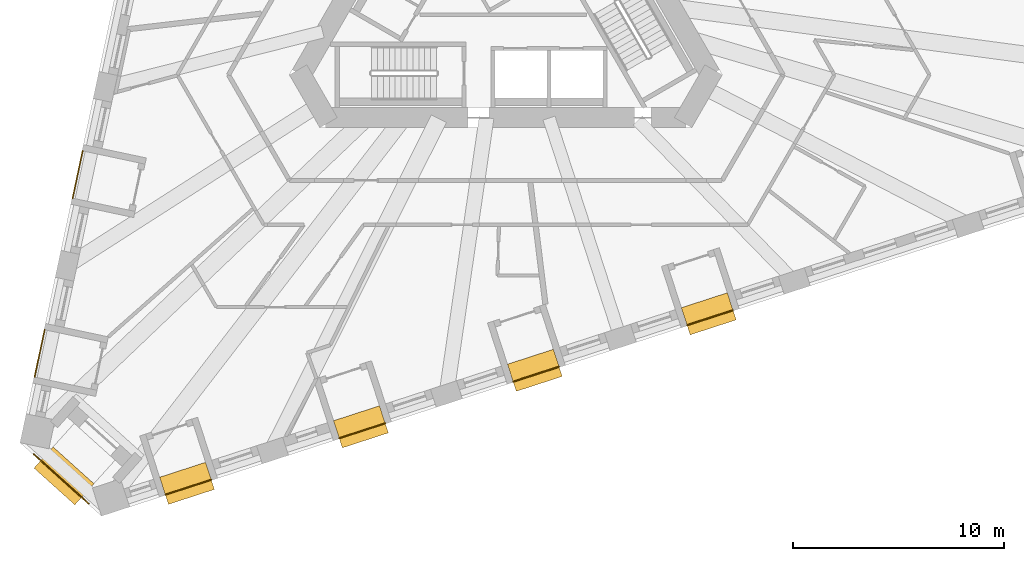
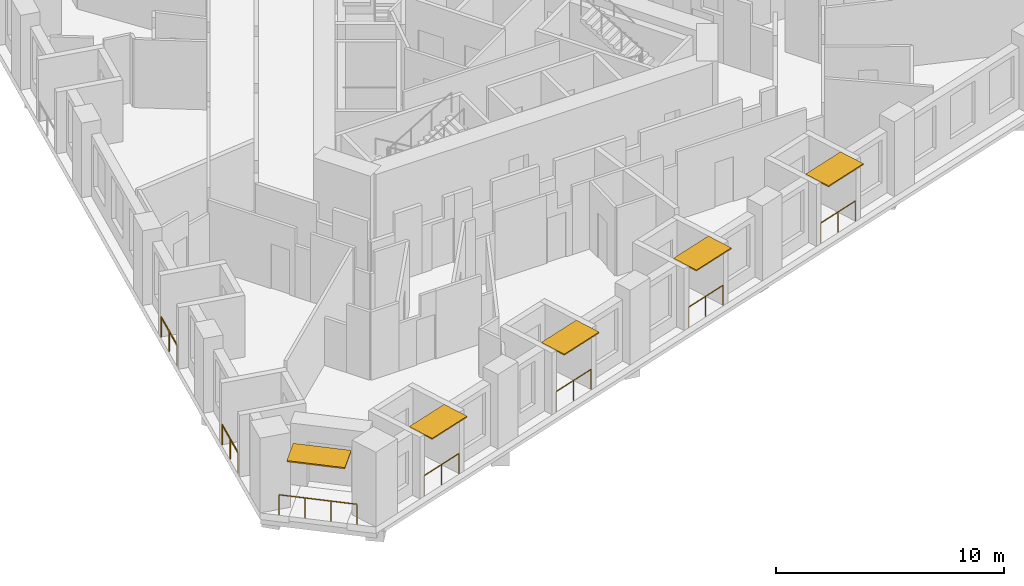
# One storey, part 11 of 13: 7 railings, 5 shading devices.
"""IFC4 building model written with IfcOpenShell, lengths in metres."""

from ifc_helpers import new_model, si_unit, direction, frame, origin, origin_2d, place, context, subcontext, project, spatial, rectangle, circle, extrude, material, layer, layer_set, type_object, element, save


model = new_model("IFC4")

# Units and contexts
model_context = context("Model", 3, precision=1e-05, world=origin(), true_north=direction((0.0, 1.0)))
body_context = subcontext(model_context, "Body", "Model", "MODEL_VIEW")
ifc_project = project(units=[si_unit("LENGTHUNIT", "METRE"), si_unit("AREAUNIT", "SQUARE_METRE"), si_unit("VOLUMEUNIT", "CUBIC_METRE"), si_unit("PLANEANGLEUNIT", "RADIAN"), si_unit("MASSUNIT", "GRAM", prefix="KILO")], contexts=[model_context])

# Site, building, storey
site_placement = place(None, origin())
site = spatial("IfcSite", under=ifc_project, at=site_placement, CompositionType="ELEMENT")
building_placement = place(site_placement, origin())
building = spatial("IfcBuilding", under=site, at=building_placement, Name="Tramontana Tower", CompositionType="ELEMENT")
storey_placement = place(building_placement, frame((0.0, 0.0, 100.39990234375)))
storey = spatial("IfcBuildingStorey", under=building, at=storey_placement, Name="L22", CompositionType="ELEMENT", Elevation=100.39990234375)

# Railings
ifc_material_1 = material(Name="Laminated glass balustrade", Category="glass")
railing_type = type_object("IfcRailingType", Name="GD1 Loggia glass balustrade 1100", PredefinedType="BALUSTRADE", material=ifc_material_1)
railing_1_placement = place(storey_placement, frame((-20.04052734375, -7.85205078125, 0.0)))
element("IfcRailing", 1, at=railing_1_placement, inside=storey, type_object=railing_type, Name="Loggia balustrade L22 G2S0.13", PredefinedType="BALUSTRADE", context=body_context, shape_type="SweptSolid", body=[
    extrude(circle(Radius=0.02392578125, at=origin_2d()), frame((0.0, 0.0, 1.076171875), z_axis=(-0.207888126836, -0.978152609116, 0.0), x_axis=(0.978152609116, -0.207888126836, 0.0)), (0.0, 0.0, 1.0), 2.28662109375),
    extrude(circle(Radius=0.02099609375, at=origin_2d()), origin(), (0.0, 0.0, 1.0), 1.052001953125),
    extrude(circle(Radius=0.02099609375, at=origin_2d()), frame((-0.23779296875, -1.1181640625, 0.0)), (0.0, 0.0, 1.0), 1.052001953125),
    extrude(circle(Radius=0.02099609375, at=origin_2d()), frame((-0.475341796875, -2.236572265625, 0.0)), (0.0, 0.0, 1.0), 1.052001953125),
])
railing_2_placement = place(storey_placement, frame((-21.841064453125, -16.322998046875, 0.0)))
element("IfcRailing", 2, at=railing_2_placement, inside=storey, type_object=railing_type, Name="Loggia balustrade L22 G2S0.16", PredefinedType="BALUSTRADE", context=body_context, shape_type="SweptSolid", body=[
    extrude(circle(Radius=0.02392578125, at=origin_2d()), frame((0.0, 0.0, 1.076171875), z_axis=(-0.207866417042, -0.978157222877, 0.0), x_axis=(0.978157222877, -0.207866417042, 0.0)), (0.0, 0.0, 1.0), 2.286865234375),
    extrude(circle(Radius=0.02099609375, at=origin_2d()), origin(), (0.0, 0.0, 1.0), 1.052001953125),
    extrude(circle(Radius=0.02099609375, at=origin_2d()), frame((-0.23779296875, -1.118408203125, 0.0)), (0.0, 0.0, 1.0), 1.052001953125),
    extrude(circle(Radius=0.02099609375, at=origin_2d()), frame((-0.475341796875, -2.23681640625, 0.0)), (0.0, 0.0, 1.0), 1.052001953125),
])
railing_3_placement = place(storey_placement, frame((-16.125244140625, -24.13427734375, 0.0)))
element("IfcRailing", 3, at=railing_3_placement, inside=storey, type_object=railing_type, Name="Loggia balustrade L22 G2S1.1", PredefinedType="BALUSTRADE", context=body_context, shape_type="SweptSolid", body=[
    extrude(circle(Radius=0.02392578125, at=origin_2d()), frame((0.0, 0.0, 1.076171875), z_axis=(0.95103720697, 0.309076416051, 0.0), x_axis=(-0.309076416051, 0.95103720697, 0.0)), (0.0, 0.0, 1.0), 2.286865234375),
    extrude(circle(Radius=0.02099609375, at=origin_2d()), origin(), (0.0, 0.0, 1.0), 1.052001953125),
    extrude(circle(Radius=0.02099609375, at=origin_2d()), frame((1.08740234375, 0.353515625, 0.0)), (0.0, 0.0, 1.0), 1.052001953125),
    extrude(circle(Radius=0.02099609375, at=origin_2d()), frame((2.1748046875, 0.706787109375, 0.0)), (0.0, 0.0, 1.0), 1.052001953125),
])
railing_4_placement = place(storey_placement, frame((-7.888916015625, -21.4580078125, 0.0)))
element("IfcRailing", 4, at=railing_4_placement, inside=storey, type_object=railing_type, Name="Loggia balustrade L22 G2S1.4", PredefinedType="BALUSTRADE", context=body_context, shape_type="SweptSolid", body=[
    extrude(circle(Radius=0.02392578125, at=origin_2d()), frame((0.0, 0.0, 1.076171875), z_axis=(0.951068585107, 0.308979847923, 0.0), x_axis=(-0.308979847923, 0.951068585107, 0.0)), (0.0, 0.0, 1.0), 2.28662109375),
    extrude(circle(Radius=0.02099609375, at=origin_2d()), origin(), (0.0, 0.0, 1.0), 1.052001953125),
    extrude(circle(Radius=0.02099609375, at=origin_2d()), frame((1.08740234375, 0.353271484375, 0.0)), (0.0, 0.0, 1.0), 1.052001953125),
    extrude(circle(Radius=0.02099609375, at=origin_2d()), frame((2.1748046875, 0.70654296875, 0.0)), (0.0, 0.0, 1.0), 1.052001953125),
])
railing_5_placement = place(storey_placement, frame((0.347412109375, -18.781982421875, 0.0)))
element("IfcRailing", 5, at=railing_5_placement, inside=storey, type_object=railing_type, Name="Loggia balustrade L22 G2S1.7", PredefinedType="BALUSTRADE", context=body_context, shape_type="SweptSolid", body=[
    extrude(circle(Radius=0.02392578125, at=origin_2d()), frame((0.0, 0.0, 1.076171875), z_axis=(0.95103720697, 0.309076416051, 0.0), x_axis=(-0.309076416051, 0.95103720697, 0.0)), (0.0, 0.0, 1.0), 2.286865234375),
    extrude(circle(Radius=0.02099609375, at=origin_2d()), origin(), (0.0, 0.0, 1.0), 1.052001953125),
    extrude(circle(Radius=0.02099609375, at=origin_2d()), frame((1.08740234375, 0.353515625, 0.0)), (0.0, 0.0, 1.0), 1.052001953125),
    extrude(circle(Radius=0.02099609375, at=origin_2d()), frame((2.1748046875, 0.706787109375, 0.0)), (0.0, 0.0, 1.0), 1.052001953125),
])
railing_6_placement = place(storey_placement, frame((8.583740234375, -16.105712890625, 0.0)))
element("IfcRailing", 6, at=railing_6_placement, inside=storey, type_object=railing_type, Name="Loggia balustrade L22 G2S1.10", PredefinedType="BALUSTRADE", context=body_context, shape_type="SweptSolid", body=[
    extrude(circle(Radius=0.02392578125, at=origin_2d()), frame((0.0, 0.0, 1.076171875), z_axis=(0.951068585107, 0.308979847923, 0.0), x_axis=(-0.308979847923, 0.951068585107, 0.0)), (0.0, 0.0, 1.0), 2.28662109375),
    extrude(circle(Radius=0.02099609375, at=origin_2d()), origin(), (0.0, 0.0, 1.0), 1.052001953125),
    extrude(circle(Radius=0.02099609375, at=origin_2d()), frame((1.08740234375, 0.353271484375, 0.0)), (0.0, 0.0, 1.0), 1.052001953125),
    extrude(circle(Radius=0.02099609375, at=origin_2d()), frame((2.1748046875, 0.70654296875, 0.0)), (0.0, 0.0, 1.0), 1.052001953125),
])
railing_7_placement = place(storey_placement, frame((-19.757080078125, -24.557861328125, 0.0)))
element("IfcRailing", 7, at=railing_7_placement, inside=storey, type_object=railing_type, Name="Corner loggia balustrade L22 K21", PredefinedType="BALUSTRADE", context=body_context, shape_type="SweptSolid", body=[
    extrude(circle(Radius=0.02392578125, at=origin_2d()), frame((0.0, 0.0, 1.076171875), z_axis=(-0.743141519559, 0.669134277936, 0.0), x_axis=(-0.669134277936, -0.743141519559, 0.0)), (0.0, 0.0, 1.0), 3.5),
    extrude(circle(Radius=0.02099609375, at=origin_2d()), origin(), (0.0, 0.0, 1.0), 1.052001953125),
    extrude(circle(Radius=0.02099609375, at=origin_2d()), frame((-0.866943359375, 0.78076171875, 0.0)), (0.0, 0.0, 1.0), 1.052001953125),
    extrude(circle(Radius=0.02099609375, at=origin_2d()), frame((-1.734130859375, 1.561279296875, 0.0)), (0.0, 0.0, 1.0), 1.052001953125),
    extrude(circle(Radius=0.02099609375, at=origin_2d()), frame((-2.60107421875, 2.342041015625, 0.0)), (0.0, 0.0, 1.0), 1.052001953125),
])

# Shading devices
ifc_material_2 = material(Name="Precast concrete 60 MPa", Category="concrete")
ifc_layer_1 = layer(ifc_material_2, 0.06005859375)
ifc_layer_set_1 = layer_set([ifc_layer_1], Name="SS1 Stone sunshade blade 60")
shading_device_type_1 = type_object("IfcShadingDeviceType", Name="SS1 Stone sunshade blade 60", PredefinedType="USERDEFINED", material=ifc_layer_set_1)
for number, where, z_axis, x_axis, name in (
    (8, (-15.09814453125, -23.595458984375, 3.239990234375), (0.0, 0.0, 1.0), (0.951056516295, 0.309016994375, 0.0), "Sunshade L22 G2S1.1"),
    (9, (-6.86181640625, -20.919189453125, 3.239990234375), (0.0, 0.0, 1.0), (0.951056516295, 0.309016994375, 0.0), "Sunshade L22 G2S1.4"),
    (10, (1.37451171875, -18.2431640625, 3.239990234375), (0.0, 0.0, 1.0), (0.951056516295, 0.309016994375, 0.0), "Sunshade L22 G2S1.7"),
    (11, (9.611083984375, -15.56689453125, 3.239990234375), (0.0, 0.0, 1.0), (0.951056516295, 0.309016994375, 0.0), "Sunshade L22 G2S1.10"),
):
    element("IfcShadingDevice", number, at=place(storey_placement, frame(where, z_axis=z_axis, x_axis=x_axis)), inside=storey, type_object=shading_device_type_1, Name=name, ObjectType="SUNSHADE", PredefinedType="USERDEFINED", context=body_context, shape_type="SweptSolid", body=[
        extrude(rectangle(XDim=2.286865234375, YDim=1.35009765625, at=origin_2d()), origin(), (0.0, 0.0, 1.0), 0.06005859375),
    ])
ifc_material_3 = material(Name="Precast concrete 60 MPa", Category="concrete")
ifc_layer_2 = layer(ifc_material_3, 0.070068359375)
ifc_layer_set_2 = layer_set([ifc_layer_2], Name="SS2 Stone sunshade blade 70")
shading_device_type_2 = type_object("IfcShadingDeviceType", Name="SS2 Stone sunshade blade 70", PredefinedType="USERDEFINED", material=ifc_layer_set_2)
shading_device_placement = place(storey_placement, frame((-20.927001953125, -23.241943359375, 3.22998046875), z_axis=(0.0, 0.0, 1.0), x_axis=(-0.743144825477, 0.669130606359, 0.0)))
element("IfcShadingDevice", 12, at=shading_device_placement, inside=storey, type_object=shading_device_type_2, Name="Corner sunshade L22 K21", ObjectType="SUNSHADE", PredefinedType="USERDEFINED", context=body_context, shape_type="SweptSolid", body=[
    extrude(rectangle(XDim=2.60009765625, YDim=1.35009765625, at=origin_2d()), origin(), (0.0, 0.0, 1.0), 0.070068359375),
])

save(model, "model.ifc")
